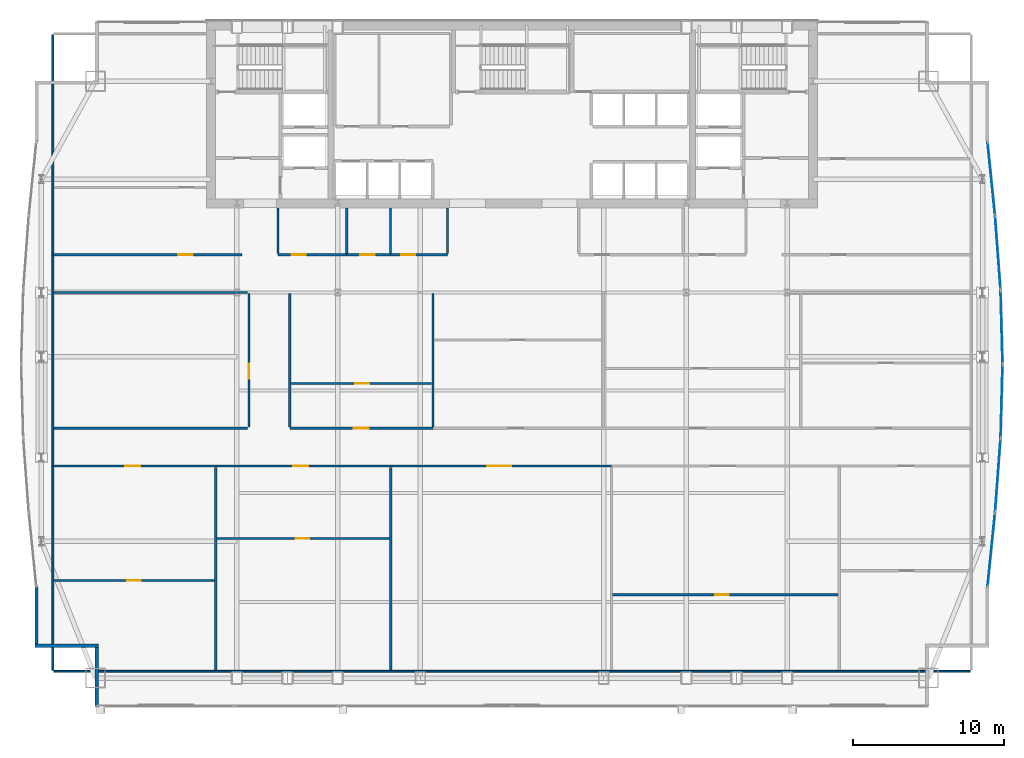
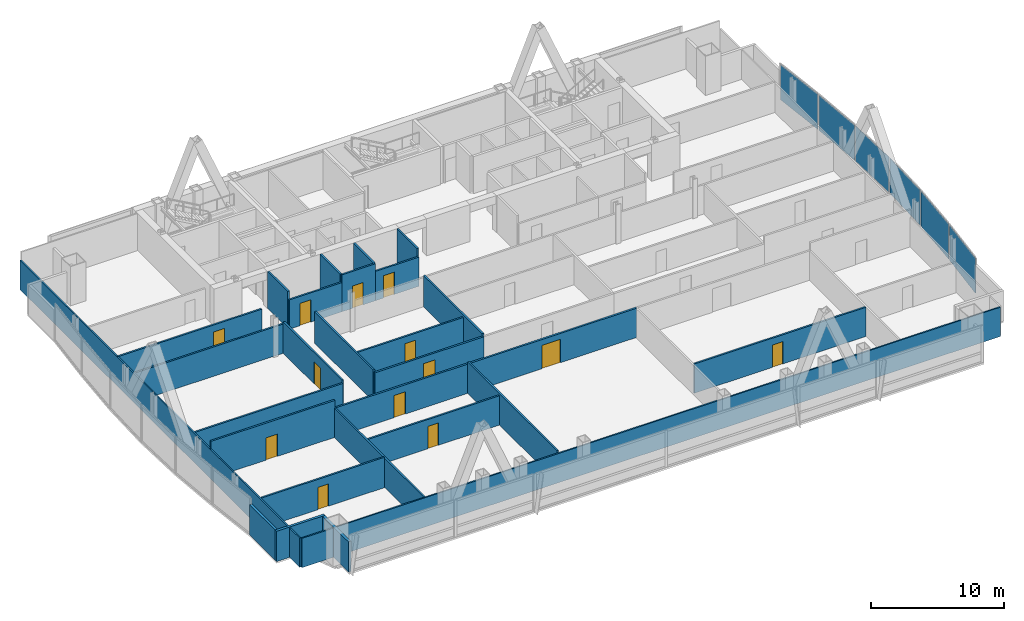
# One storey, part 24 of 29: 28 walls, 13 doors, 6 plates, 13 openings, 6 elements without a shape of their own.
"""IFC4 building model written with IfcOpenShell, lengths in metres."""

import ifcopenshell
import ifcopenshell.guid

model = None  # the IFC model being written
_history = None  # IfcOwnerHistory: only IFC2X3 demands one
_inside = {}  # id of a spatial element -> (the spatial element, [elements in it])
_under = {}  # id of a project, library or spatial element -> (it, [spatial elements below it])
_declared = {}  # id of a project -> (the project, [libraries it declares])
_typed = {}  # id of a type object -> (the type object, [elements of that type])
_made_of = {}  # id of a material, layer set ... -> (it, [elements and type objects made of it])


def new_model(schema):
    """Start an empty IFC model of exactly this schema.

    Asked for "IFC4X3", IfcOpenShell would pick the latest addendum, in which some entities
    have other attributes; the version numbers below select the first issue.
    IFC2X3 requires an IfcOwnerHistory on every rooted entity: one is made here for all.
    """
    global model, _history
    if schema == "IFC4X3":
        model = ifcopenshell.file(schema_version=(4, 3, 0, 0))
    else:
        model = ifcopenshell.file(schema=schema)
    _inside.clear()
    _under.clear()
    _declared.clear()
    _typed.clear()
    _made_of.clear()
    _history = None
    if model.schema == "IFC2X3":
        org = make("IfcOrganization", Name="unknown")
        user = make(
            "IfcPersonAndOrganization",
            ThePerson=make("IfcPerson", FamilyName="unknown"),
            TheOrganization=org,
        )
        app = make(
            "IfcApplication",
            ApplicationDeveloper=org,
            Version="unknown",
            ApplicationFullName="unknown",
            ApplicationIdentifier="unknown",
        )
        _history = make(
            "IfcOwnerHistory",
            OwningUser=user,
            OwningApplication=app,
            ChangeAction="ADDED",
            CreationDate=0,
        )
    return model


def make(cls, **values):
    """One entity of the class cls with the attributes given. An attribute that is None is left unset."""
    return model.create_entity(
        cls, **{name: value for name, value in values.items() if value is not None}
    )


def rooted(cls, **values):
    """An entity with a GlobalId (a new one), such as an element, a storey or a relation."""
    return make(cls, GlobalId=ifcopenshell.guid.new(), OwnerHistory=_history, **values)


def si_unit(unit_type, name, prefix=None):
    """IfcSIUnit, for example si_unit("LENGTHUNIT", "METRE", prefix="MILLI")."""
    return make("IfcSIUnit", UnitType=unit_type, Prefix=prefix, Name=name)


def assignment(units):
    """IfcUnitAssignment: the units of a project."""
    return None if units is None else make("IfcUnitAssignment", Units=units)


def point(xyz):
    """IfcCartesianPoint."""
    return None if xyz is None else make("IfcCartesianPoint", Coordinates=xyz)


def direction(xyz):
    """IfcDirection."""
    return None if xyz is None else make("IfcDirection", DirectionRatios=xyz)


def frame(location, z_axis=None, x_axis=None):
    """IfcAxis2Placement3D, a coordinate frame: its origin and axes. An axis left out is left unset."""
    return make(
        "IfcAxis2Placement3D",
        Location=point(location),
        Axis=direction(z_axis),
        RefDirection=direction(x_axis),
    )


def frame_2d(location, x_axis=None):
    """IfcAxis2Placement2D, a coordinate frame in the plane: its origin and x axis."""
    return make(
        "IfcAxis2Placement2D", Location=point(location), RefDirection=direction(x_axis)
    )


def origin():
    """The frame at (0, 0, 0) with its axes left unset."""
    return frame((0.0, 0.0, 0.0))


def origin_2d():
    """The frame at (0, 0) in the plane with its x axis left unset."""
    return frame_2d((0.0, 0.0))


def place(relative_to, where):
    """IfcLocalPlacement: puts the frame where relative to a parent placement (None: the world)."""
    return make(
        "IfcLocalPlacement", PlacementRelTo=relative_to, RelativePlacement=where
    )


def context(
    kind, dimensions, precision=None, world=None, true_north=None, identifier=None
):
    """IfcGeometricRepresentationContext, for example the 3D "Model" context."""
    return make(
        "IfcGeometricRepresentationContext",
        ContextIdentifier=identifier,
        ContextType=kind,
        CoordinateSpaceDimension=dimensions,
        Precision=precision,
        WorldCoordinateSystem=world,
        TrueNorth=true_north,
    )


def subcontext(parent, identifier, kind, view, scale=None):
    """IfcGeometricRepresentationSubContext, for example "Body" below "Model"."""
    return make(
        "IfcGeometricRepresentationSubContext",
        ContextIdentifier=identifier,
        ContextType=kind,
        ParentContext=parent,
        TargetScale=scale,
        TargetView=view,
    )


def project(units=None, contexts=None):
    """IfcProject with its units and contexts."""
    return rooted(
        "IfcProject",
        Name="project",
        RepresentationContexts=contexts,
        UnitsInContext=assignment(units),
    )


def spatial(cls, under=None, at=None, **own):
    """A site, building, storey or space (cls), placed at a placement, below another one or the project."""
    s = rooted(cls, ObjectPlacement=at, **own)
    if under is not None:
        _under.setdefault(under.id(), (under, []))[1].append(s)
    return s


def profile(cls, at=None, kind="AREA", **sizes):
    """A parametric profile (cls). Its sizes go by their IFC names, for example OverallWidth=200.0."""
    return make(cls, ProfileType=kind, Position=at, **sizes)


def rectangle(**sizes):
    """IfcRectangleProfileDef."""
    return profile("IfcRectangleProfileDef", **sizes)


def extrude(swept, where, along, depth):
    """IfcExtrudedAreaSolid: the profile swept, set in the frame where, extruded along a direction by depth."""
    return make(
        "IfcExtrudedAreaSolid",
        SweptArea=swept,
        Position=where,
        ExtrudedDirection=direction(along),
        Depth=depth,
    )


def shape(context_of_items, identifier, shape_type, items):
    """IfcShapeRepresentation: the items that make up one representation, for example the "Body"."""
    return make(
        "IfcShapeRepresentation",
        ContextOfItems=context_of_items,
        RepresentationIdentifier=identifier,
        RepresentationType=shape_type,
        Items=items,
    )


def material(Name=None, Category=None):
    """IfcMaterial."""
    return make("IfcMaterial", Name=Name, Category=Category)


def layer(
    of_material, thickness, ventilated=None, Name=None, Category=None, Priority=None
):
    """IfcMaterialLayer: one layer of a wall or slab, of a material (None: an air gap)."""
    return make(
        "IfcMaterialLayer",
        Material=of_material,
        LayerThickness=thickness,
        IsVentilated=ventilated,
        Name=Name,
        Category=Category,
        Priority=Priority,
    )


def layer_set(layers, Name=None):
    """IfcMaterialLayerSet."""
    return make("IfcMaterialLayerSet", MaterialLayers=layers, LayerSetName=Name)


def made_of(thing, what):
    """Note that an element or type object is made of a material, layer set ...; save() writes the relation."""
    if what is not None:
        _made_of.setdefault(what.id(), (what, []))[1].append(thing)
    return thing


def type_object(cls, material=None, **own):
    """A type object (cls), such as IfcWallType, which elements share."""
    return made_of(rooted(cls, **own), material)


def element(
    cls,
    number,
    at=None,
    inside=None,
    cuts=None,
    type_object=None,
    material=None,
    context=None,
    identifier="Body",
    shape_type=None,
    held_by="IfcProductDefinitionShape",
    body=None,
    shapes=None,
    **own,
):
    """One element of the class cls, such as IfcWall. Its Tag is "e" and its number.

    at: its placement. inside: the storey or other place that contains it. cuts: it is an
    opening in that element (IfcRelVoidsElement). A single representation is given by context,
    identifier, shape_type and body (its items); several are given by shapes. held_by: the class
    of the entity that holds the representations. save() writes the other relations.
    """
    e = rooted(cls, Tag="e%d" % number, ObjectPlacement=at, **own)
    if body is not None:
        shapes = [shape(context, identifier, shape_type, body)]
    if shapes is not None:
        e.Representation = make(held_by, Representations=shapes)
    if inside is not None:
        _inside.setdefault(inside.id(), (inside, []))[1].append(e)
    if cuts is not None:
        rooted(
            "IfcRelVoidsElement", RelatingBuildingElement=cuts, RelatedOpeningElement=e
        )
    if type_object is not None:
        _typed.setdefault(type_object.id(), (type_object, []))[1].append(e)
    return made_of(e, material)


def fill(opening, filler):
    """IfcRelFillsElement: the door or window that sits in an opening."""
    return rooted(
        "IfcRelFillsElement",
        RelatingOpeningElement=opening,
        RelatedBuildingElement=filler,
    )


def aggregate(whole, parts):
    """IfcRelAggregates: a whole, such as a stair, and the parts it consists of."""
    return rooted("IfcRelAggregates", RelatingObject=whole, RelatedObjects=parts)


def save(model, path):
    """Write the relations noted so far, then the file.

    IfcRelAggregates (storeys below a building ...), IfcRelContainedInSpatialStructure (elements
    in a storey), IfcRelDefinesByType, IfcRelAssociatesMaterial and IfcRelDeclares: one each for
    every whole, place, type object, material and project.
    """
    for whole, parts in _under.values():
        aggregate(whole, parts)
    for where, things in _inside.values():
        rooted(
            "IfcRelContainedInSpatialStructure",
            RelatedElements=things,
            RelatingStructure=where,
        )
    for kind, things in _typed.values():
        rooted("IfcRelDefinesByType", RelatedObjects=things, RelatingType=kind)
    for what, things in _made_of.values():
        rooted("IfcRelAssociatesMaterial", RelatedObjects=things, RelatingMaterial=what)
    for by, libraries in _declared.values():
        rooted("IfcRelDeclares", RelatingContext=by, RelatedDefinitions=libraries)
    model.write(path)


model = new_model("IFC4")

# Units and contexts
model_context = context("Model", 3, precision=1e-05, world=origin(), true_north=direction((0.0, 1.0)))
body_context = subcontext(model_context, "Body", "Model", "MODEL_VIEW")
ifc_project = project(units=[si_unit("LENGTHUNIT", "METRE"), si_unit("AREAUNIT", "SQUARE_METRE"), si_unit("VOLUMEUNIT", "CUBIC_METRE"), si_unit("PLANEANGLEUNIT", "RADIAN"), si_unit("MASSUNIT", "GRAM", prefix="KILO")], contexts=[model_context])

# Site, building, storey
site_placement = place(None, origin())
site = spatial("IfcSite", under=ifc_project, at=site_placement, CompositionType="ELEMENT")
building_placement = place(site_placement, origin())
building = spatial("IfcBuilding", under=site, at=building_placement, Name="Khoronbel Lancet Exchange", CompositionType="ELEMENT")
storey_placement = place(building_placement, frame((0.0, 0.0, 180.60009765625)))
storey = spatial("IfcBuildingStorey", under=building, at=storey_placement, Name="L45", CompositionType="ELEMENT", Elevation=180.60009765625)

# Curtain wall, plate
ifc_material_1 = material(Name="Low-E Solar Control Insulating Glass", Category="glass")
curtain_wall_type = type_object("IfcCurtainWallType", Name="CW-4", PredefinedType="NOTDEFINED", material=ifc_material_1)
curtain_wall_1_placement = place(storey_placement, origin())
curtain_wall_1 = element("IfcCurtainWall", 1, at=curtain_wall_1_placement, inside=storey, type_object=curtain_wall_type, Name="Unitised curtain wall CW-L45-E18", PredefinedType="NOTDEFINED")
ifc_material_2 = material(Name="Bronze-Anodised Aluminium 6063-T6", Category="aluminium")
ifc_layer_1 = layer(ifc_material_2, 0.050048828125, Name="Bronze-Anodised Aluminium 6063-T6")
ifc_layer_set_1 = layer_set([ifc_layer_1], Name="Bronze-Anodised Aluminium 6063-T6")
plate_type_1 = type_object("IfcPlateType", Name="PLT-CSP1", PredefinedType="SHEET", material=ifc_layer_set_1)
plate_1_placement = place(storey_placement, frame((68.643310546875, 38.31884765625, 0.0849609375), z_axis=(0.0, 0.0, 1.0), x_axis=(0.074245494873, -0.99723999443, 0.0)))
plate_1 = element("IfcPlate", 2, at=plate_1_placement, type_object=plate_type_1, Name="CW4 panel 1.1", PredefinedType="CURTAIN_PANEL", context=body_context, shape_type="SweptSolid", body=[
    extrude(rectangle(XDim=4.77685546875, YDim=0.0380859375, at=origin_2d()), origin(), (0.0, 0.0, 1.0), 3.22998046875),
])
aggregate(curtain_wall_1, [plate_1])

curtain_wall_2_placement = place(storey_placement, origin())
curtain_wall_2 = element("IfcCurtainWall", 3, at=curtain_wall_2_placement, inside=storey, type_object=curtain_wall_type, Name="Unitised curtain wall CW-L45-E19", PredefinedType="NOTDEFINED")
plate_2_placement = place(storey_placement, frame((68.89306640625, 33.406005859375, 0.0849609375), z_axis=(0.0, 0.0, 1.0), x_axis=(0.027249094987, -0.99962867447, 0.0)))
plate_2 = element("IfcPlate", 4, at=plate_2_placement, type_object=plate_type_1, Name="CW4 panel 1.1", PredefinedType="CURTAIN_PANEL", context=body_context, shape_type="SweptSolid", body=[
    extrude(rectangle(XDim=4.763916015625, YDim=0.0380859375, at=origin_2d()), origin(), (0.0, 0.0, 1.0), 3.22998046875),
])
aggregate(curtain_wall_2, [plate_2])

curtain_wall_3_placement = place(storey_placement, origin())
curtain_wall_3 = element("IfcCurtainWall", 5, at=curtain_wall_3_placement, inside=storey, type_object=curtain_wall_type, Name="Unitised curtain wall CW-L45-E20", PredefinedType="NOTDEFINED")
plate_3_placement = place(storey_placement, frame((68.89306640625, 28.493896484375, 0.0849609375), z_axis=(0.0, 0.0, 1.0), x_axis=(-0.027249094987, -0.99962867447, 0.0)))
plate_3 = element("IfcPlate", 6, at=plate_3_placement, type_object=plate_type_1, Name="CW4 panel 1.1", PredefinedType="CURTAIN_PANEL", context=body_context, shape_type="SweptSolid", body=[
    extrude(rectangle(XDim=4.763916015625, YDim=0.0380859375, at=origin_2d()), origin(), (0.0, 0.0, 1.0), 3.22998046875),
])
aggregate(curtain_wall_3, [plate_3])

curtain_wall_4_placement = place(storey_placement, origin())
curtain_wall_4 = element("IfcCurtainWall", 7, at=curtain_wall_4_placement, inside=storey, type_object=curtain_wall_type, Name="Unitised curtain wall CW-L45-E21", PredefinedType="NOTDEFINED")
plate_4_placement = place(storey_placement, frame((68.643310546875, 23.581298828125, 0.0849609375), z_axis=(0.0, 0.0, 1.0), x_axis=(-0.074245494873, -0.99723999443, 0.0)))
plate_4 = element("IfcPlate", 8, at=plate_4_placement, type_object=plate_type_1, Name="CW4 panel 1.1", PredefinedType="CURTAIN_PANEL", context=body_context, shape_type="SweptSolid", body=[
    extrude(rectangle(XDim=4.77685546875, YDim=0.0380859375, at=origin_2d()), origin(), (0.0, 0.0, 1.0), 3.22998046875),
])
aggregate(curtain_wall_4, [plate_4])

curtain_wall_5_placement = place(storey_placement, origin())
curtain_wall_5 = element("IfcCurtainWall", 9, at=curtain_wall_5_placement, inside=storey, type_object=curtain_wall_type, Name="Unitised curtain wall CW-L45-E17", PredefinedType="NOTDEFINED")
ifc_material_3 = material(Name="Ceramic-Fritted Laminated Insulating Glass", Category="glass")
ifc_layer_2 = layer(ifc_material_3, 0.0419921875, Name="Ceramic-Fritted Laminated Insulating Glass")
ifc_layer_set_2 = layer_set([ifc_layer_2], Name="Ceramic-Fritted Laminated Insulating Glass")
plate_type_2 = type_object("IfcPlateType", Name="PLT-CWP2", PredefinedType="CURTAIN_PANEL", material=ifc_layer_set_2)
plate_5_placement = place(storey_placement, frame((68.210205078125, 43.2353515625, 0.0849609375), z_axis=(0.0, 0.0, 1.0), x_axis=(0.101165300055, -0.994869630688, 0.0)))
plate_5 = element("IfcPlate", 10, at=plate_5_placement, type_object=plate_type_2, Name="CW4 panel 1.1", PredefinedType="CURTAIN_PANEL", context=body_context, shape_type="SweptSolid", body=[
    extrude(rectangle(XDim=4.79541015625, YDim=0.0380859375, at=origin_2d()), origin(), (0.0, 0.0, 1.0), 3.22998046875),
])
aggregate(curtain_wall_5, [plate_5])

curtain_wall_6_placement = place(storey_placement, origin())
curtain_wall_6 = element("IfcCurtainWall", 11, at=curtain_wall_6_placement, inside=storey, type_object=curtain_wall_type, Name="Unitised curtain wall CW-L45-E22", PredefinedType="NOTDEFINED")
plate_6_placement = place(storey_placement, frame((68.210205078125, 18.66455078125, 0.0849609375), z_axis=(0.0, 0.0, 1.0), x_axis=(-0.101165300055, -0.994869630688, 0.0)))
plate_6 = element("IfcPlate", 12, at=plate_6_placement, type_object=plate_type_2, Name="CW4 panel 1.1", PredefinedType="CURTAIN_PANEL", context=body_context, shape_type="SweptSolid", body=[
    extrude(rectangle(XDim=4.79541015625, YDim=0.0380859375, at=origin_2d()), origin(), (0.0, 0.0, 1.0), 3.22998046875),
])
aggregate(curtain_wall_6, [plate_6])

# Walls
ifc_material_4 = material(Name="Precast concrete C40/50", Category="concrete")
ifc_layer_3 = layer(ifc_material_4, 0.25, Name="Precast concrete C40/50")
ifc_layer_set_3 = layer_set([ifc_layer_3], Name="Precast concrete C40/50")
wall_type_1 = type_object("IfcWallType", Name="WL-EXT250", PredefinedType="SOLIDWALL", material=ifc_layer_set_3)
wall_1_placement = place(storey_placement, frame((8.93994140625, 8.27001953125, 0.0), z_axis=(0.0, 0.0, 1.0), x_axis=(0.0, 1.0, 0.0)))
element("IfcWall", 13, at=wall_1_placement, inside=storey, type_object=wall_type_1, Name="Level L45 notched-corner limestone pier 01", PredefinedType="SOLIDWALL", context=body_context, shape_type="SweptSolid", body=[
    extrude(rectangle(XDim=3.909912109375, YDim=0.219970703125, at=frame_2d((1.955078125, 0.0))), origin(), (0.0, 0.0, 1.0), 2.789794921875),
])
wall_2_placement = place(storey_placement, frame((9.050048828125, 12.2900390625, 0.0), z_axis=(0.0, 0.0, 1.0), x_axis=(-1.0, 0.0, 0.0)))
element("IfcWall", 14, at=wall_2_placement, inside=storey, type_object=wall_type_1, Name="Level L45 notched-corner limestone pier 02", PredefinedType="SOLIDWALL", context=body_context, shape_type="SweptSolid", body=[
    extrude(rectangle(XDim=4.219970703125, YDim=0.219970703125, at=frame_2d((2.10986328125, 0.0))), origin(), (0.0, 0.0, 1.0), 2.789794921875),
])
wall_3_placement = place(storey_placement, frame((4.93994140625, 12.39990234375, 0.0), z_axis=(0.0, 0.0, 1.0), x_axis=(0.0, 1.0, 0.0)))
element("IfcWall", 15, at=wall_3_placement, inside=storey, type_object=wall_type_1, Name="Level L45 notched-corner limestone pier 03", PredefinedType="SOLIDWALL", context=body_context, shape_type="SweptSolid", body=[
    extrude(rectangle(XDim=3.82470703125, YDim=0.219970703125, at=frame_2d((1.912353515625, 0.0))), origin(), (0.0, 0.0, 1.0), 2.789794921875),
])
ifc_material_5 = material(Name="Acoustic Metal-Stud & Mineral-Wool Gypsum Partition 120 mm", Category="gypsum")
ifc_layer_4 = layer(ifc_material_5, 0.1201171875, Name="Acoustic Metal-Stud & Mineral-Wool Gypsum Partition 120 mm")
ifc_layer_set_4 = layer_set([ifc_layer_4], Name="Acoustic Metal-Stud & Mineral-Wool Gypsum Partition 120 mm")
wall_type_2 = type_object("IfcWallType", Name="WL-PRT120", PredefinedType="PARTITIONING", material=ifc_layer_set_4)
for number, where, z_axis, x_axis, name in (
    (16, (20.949951171875, 38.280029296875, 0.0), (0.0, 0.0, 1.0), (0.0, 1.0, 0.0), "Level L45 interior partition PW-WC-0"),
    (17, (25.5, 38.280029296875, 0.0), (0.0, 0.0, 1.0), (0.0, 1.0, 0.0), "Level L45 interior partition PW-WC-1"),
    (18, (28.39990234375, 38.280029296875, 0.0), (0.0, 0.0, 1.0), (0.0, 1.0, 0.0), "Level L45 interior partition PW-WC-2"),
    (19, (32.179931640625, 38.280029296875, 0.0), (0.0, 0.0, 1.0), (0.0, 1.0, 0.0), "Level L45 interior partition PW-WC-3"),
):
    element("IfcWall", number, at=place(storey_placement, frame(where, z_axis=z_axis, x_axis=x_axis)), inside=storey, type_object=wall_type_2, Name=name, PredefinedType="PARTITIONING", context=body_context, shape_type="SweptSolid", body=[
        extrude(rectangle(XDim=3.02001953125, YDim=0.14990234375, at=frame_2d((1.510009765625, 0.0))), origin(), (0.0, 0.0, 1.0), 3.39990234375),
    ])

# Wall, opening, door
wall_4_placement = place(storey_placement, frame((6.094970703125, 16.60986328125, 0.0), z_axis=(0.0, 0.0, 1.0), x_axis=(1.0, 0.0, 0.0)))
wall_4 = element("IfcWall", 20, at=wall_4_placement, inside=storey, type_object=wall_type_2, Name="Level L45 interior partition PW-Z2S-H1", PredefinedType="PARTITIONING", context=body_context, shape_type="SweptSolid", body=[
    extrude(rectangle(XDim=10.651123046875, YDim=0.14990234375, at=frame_2d((5.32568359375, 0.0))), origin(), (0.0, 0.0, 1.0), 2.789794921875),
])
opening_1_placement = place(wall_4_placement, frame((4.8583984375, 0.0, 0.0)))
opening_1 = element("IfcOpeningElement", 21, at=opening_1_placement, cuts=wall_4, Name="Opening D5", PredefinedType="OPENING", context=body_context, shape_type="SweptSolid", body=[
    extrude(rectangle(XDim=0.89990234375, YDim=2.050048828125, at=frame_2d((0.449951171875, 1.02490234375))), frame((0.0, 0.0849609375, 0.0), z_axis=(0.0, -1.0, 0.0), x_axis=(1.0, 0.0, 0.0)), (0.0, 0.0, 1.0), 0.169921875),
])
ifc_material_6 = material(Name="Acoustic Timber Pantry & Support Door", Category="wood")
door_type_1 = type_object("IfcDoorType", Name="DR-D5", OperationType="NOTDEFINED", PredefinedType="DOOR", material=ifc_material_6)
door_1_placement = place(opening_1_placement, origin())
door_1 = element("IfcDoor", 22, at=door_1_placement, inside=storey, type_object=door_type_1, Name="Z2S inner door 1 L45-1", OperationType="SINGLE_SWING_LEFT", OverallHeight=2.050048828125, OverallWidth=0.89990234375, PredefinedType="DOOR", context=body_context, shape_type="SweptSolid", body=[
    extrude(rectangle(XDim=0.89990234375, YDim=2.050048828125, at=frame_2d((0.449951171875, 1.02490234375))), frame((0.0, 0.02490234375, 0.0), z_axis=(0.0, -1.0, 0.0), x_axis=(1.0, 0.0, 0.0)), (0.0, 0.0, 1.0), 0.050048828125),
])
fill(opening_1, door_1)

wall_5_placement = place(storey_placement, frame((16.90625, 19.39697265625, 0.0), z_axis=(0.0, 0.0, 1.0), x_axis=(1.0, 0.0, 0.0)))
wall_5 = element("IfcWall", 23, at=wall_5_placement, inside=storey, type_object=wall_type_2, Name="Level L45 interior partition PW-Z2S-H2", PredefinedType="PARTITIONING", context=body_context, shape_type="SweptSolid", body=[
    extrude(rectangle(XDim=11.423828125, YDim=0.14990234375, at=frame_2d((5.7119140625, 0.0))), origin(), (0.0, 0.0, 1.0), 2.68994140625),
])
opening_2_placement = place(wall_5_placement, frame((5.212646484375, 0.0, 0.0)))
opening_2 = element("IfcOpeningElement", 24, at=opening_2_placement, cuts=wall_5, Name="Opening D5", PredefinedType="OPENING", context=body_context, shape_type="SweptSolid", body=[
    extrude(rectangle(XDim=0.89990234375, YDim=2.050048828125, at=frame_2d((0.449951171875, 1.02490234375))), frame((0.0, 0.0849609375, 0.0), z_axis=(0.0, -1.0, 0.0), x_axis=(1.0, 0.0, 0.0)), (0.0, 0.0, 1.0), 0.169921875),
])
door_2_placement = place(opening_2_placement, origin())
door_2 = element("IfcDoor", 25, at=door_2_placement, inside=storey, type_object=door_type_1, Name="Z2S inner door 2 L45-1", OperationType="SINGLE_SWING_LEFT", OverallHeight=2.050048828125, OverallWidth=0.89990234375, PredefinedType="DOOR", context=body_context, shape_type="SweptSolid", body=[
    extrude(rectangle(XDim=0.89990234375, YDim=2.050048828125, at=frame_2d((0.449951171875, 1.02490234375))), frame((0.0, 0.02490234375, 0.0), z_axis=(0.0, -1.0, 0.0), x_axis=(1.0, 0.0, 0.0)), (0.0, 0.0, 1.0), 0.050048828125),
])
fill(opening_2, door_2)

wall_6_placement = place(storey_placement, frame((43.1220703125, 15.674560546875, 0.0), z_axis=(0.0, 0.0, 1.0), x_axis=(1.0, 0.0, 0.0)))
wall_6 = element("IfcWall", 26, at=wall_6_placement, inside=storey, type_object=wall_type_2, Name="Level L45 interior partition PW-Z2S-H4", PredefinedType="PARTITIONING", context=body_context, shape_type="SweptSolid", body=[
    extrude(rectangle(XDim=14.929443359375, YDim=0.14990234375, at=frame_2d((7.46484375, 0.0))), origin(), (0.0, 0.0, 1.0), 2.68994140625),
])
opening_3_placement = place(wall_6_placement, frame((6.790283203125, 0.0, 0.0)))
opening_3 = element("IfcOpeningElement", 27, at=opening_3_placement, cuts=wall_6, Name="Opening D5", PredefinedType="OPENING", context=body_context, shape_type="SweptSolid", body=[
    extrude(rectangle(XDim=0.89990234375, YDim=2.050048828125, at=frame_2d((0.449951171875, 1.02490234375))), frame((0.0, 0.0849609375, 0.0), z_axis=(0.0, -1.0, 0.0), x_axis=(1.0, 0.0, 0.0)), (0.0, 0.0, 1.0), 0.169921875),
])
door_3_placement = place(opening_3_placement, origin())
door_3 = element("IfcDoor", 28, at=door_3_placement, inside=storey, type_object=door_type_1, Name="Z2S inner door 4 L45-1", OperationType="SINGLE_SWING_RIGHT", OverallHeight=2.050048828125, OverallWidth=0.89990234375, PredefinedType="DOOR", context=body_context, shape_type="SweptSolid", body=[
    extrude(rectangle(XDim=0.89990234375, YDim=2.050048828125, at=frame_2d((0.449951171875, 1.02490234375))), frame((0.0, 0.02490234375, 0.0), z_axis=(0.0, -1.0, 0.0), x_axis=(1.0, 0.0, 0.0)), (0.0, 0.0, 1.0), 0.050048828125),
])
fill(opening_3, door_3)

wall_7_placement = place(storey_placement, frame((21.81005859375, 29.669921875, 0.0), z_axis=(0.0, 0.0, 1.0), x_axis=(1.0, 0.0, 0.0)))
wall_7 = element("IfcWall", 29, at=wall_7_placement, inside=storey, type_object=wall_type_2, Name="Level L45 interior partition PW-Z2N-H1", PredefinedType="PARTITIONING", context=body_context, shape_type="SweptSolid", body=[
    extrude(rectangle(XDim=9.3193359375, YDim=0.14990234375, at=frame_2d((4.65966796875, 0.0))), origin(), (0.0, 0.0, 1.0), 2.68994140625),
])
opening_4_placement = place(wall_7_placement, frame((4.265625, 0.0, 0.0)))
opening_4 = element("IfcOpeningElement", 30, at=opening_4_placement, cuts=wall_7, Name="Opening D5", PredefinedType="OPENING", context=body_context, shape_type="SweptSolid", body=[
    extrude(rectangle(XDim=0.89990234375, YDim=2.050048828125, at=frame_2d((0.449951171875, 1.02490234375))), frame((0.0, 0.0849609375, 0.0), z_axis=(0.0, -1.0, 0.0), x_axis=(1.0, 0.0, 0.0)), (0.0, 0.0, 1.0), 0.169921875),
])
door_4_placement = place(opening_4_placement, origin())
door_4 = element("IfcDoor", 31, at=door_4_placement, inside=storey, type_object=door_type_1, Name="Z2N inner door 1 L45-1", OperationType="SINGLE_SWING_LEFT", OverallHeight=2.050048828125, OverallWidth=0.89990234375, PredefinedType="DOOR", context=body_context, shape_type="SweptSolid", body=[
    extrude(rectangle(XDim=0.89990234375, YDim=2.050048828125, at=frame_2d((0.449951171875, 1.02490234375))), frame((0.0, 0.02490234375, 0.0), z_axis=(0.0, -1.0, 0.0), x_axis=(1.0, 0.0, 0.0)), (0.0, 0.0, 1.0), 0.050048828125),
])
fill(opening_4, door_4)

# Walls
wall_8_placement = place(storey_placement, frame((6.030029296875, 10.6650390625, 0.0), z_axis=(0.0, 0.0, 1.0), x_axis=(0.0, 1.0, 0.0)))
element("IfcWall", 32, at=wall_8_placement, inside=storey, type_object=wall_type_2, Name="Level L45 interior partition PW-LIN-W", PredefinedType="PARTITIONING", context=body_context, shape_type="SweptSolid", body=[
    extrude(rectangle(XDim=42.10986328125, YDim=0.1201171875, at=frame_2d((21.054931640625, 0.0))), origin(), (0.0, 0.0, 1.0), 2.68994140625),
])
wall_9_placement = place(storey_placement, frame((6.094970703125, 10.60009765625, 0.0), z_axis=(0.0, 0.0, 1.0), x_axis=(1.0, 0.0, 0.0)))
element("IfcWall", 33, at=wall_9_placement, inside=storey, type_object=wall_type_2, Name="Level L45 interior partition PW-LIN-S", PredefinedType="PARTITIONING", context=body_context, shape_type="SweptSolid", body=[
    extrude(rectangle(XDim=60.7099609375, YDim=0.1201171875, at=frame_2d((30.35498046875, 0.0))), origin(), (0.0, 0.0, 1.0), 2.68994140625),
])

# Wall, opening, door
ifc_material_7 = material(Name="Fire-Rated Twin-Stud Acoustic Gypsum Partition 150 mm", Category="gypsum")
ifc_layer_5 = layer(ifc_material_7, 0.14990234375, Name="Fire-Rated Twin-Stud Acoustic Gypsum Partition 150 mm")
ifc_layer_set_5 = layer_set([ifc_layer_5], Name="Fire-Rated Twin-Stud Acoustic Gypsum Partition 150 mm")
wall_type_3 = type_object("IfcWallType", Name="WL-PRT150C", PredefinedType="PARTITIONING", material=ifc_layer_set_5)
wall_10_placement = place(storey_placement, frame((20.949951171875, 38.199951171875, 0.0), z_axis=(0.0, 0.0, 1.0), x_axis=(1.0, 0.0, 0.0)))
wall_10 = element("IfcWall", 34, at=wall_10_placement, inside=storey, type_object=wall_type_3, Name="Level L45 interior partition PW-WC-S1", PredefinedType="PARTITIONING", context=body_context, shape_type="SweptSolid", body=[
    extrude(rectangle(XDim=4.550048828125, YDim=0.14990234375, at=frame_2d((2.27490234375, 0.0))), origin(), (0.0, 0.0, 1.0), 2.68994140625),
])
opening_5_placement = place(wall_10_placement, frame((0.89990234375, 0.0, 0.0)))
opening_5 = element("IfcOpeningElement", 35, at=opening_5_placement, cuts=wall_10, Name="Opening D4", PredefinedType="OPENING", context=body_context, shape_type="SweptSolid", body=[
    extrude(rectangle(XDim=0.949951171875, YDim=2.050048828125, at=frame_2d((0.47509765625, 1.02490234375))), frame((0.0, 0.0849609375, 0.0), z_axis=(0.0, -1.0, 0.0), x_axis=(1.0, 0.0, 0.0)), (0.0, 0.0, 1.0), 0.169921875),
])
ifc_material_8 = material(Name="Moisture-Resistant HPL Washroom Door", Category="wood")
door_type_2 = type_object("IfcDoorType", Name="DR-D4", OperationType="NOTDEFINED", PredefinedType="DOOR", material=ifc_material_8)
door_5_placement = place(opening_5_placement, origin())
door_5 = element("IfcDoor", 36, at=door_5_placement, inside=storey, type_object=door_type_2, Name="Male washroom door L45-1", OperationType="SINGLE_SWING_LEFT", OverallHeight=2.050048828125, OverallWidth=0.949951171875, PredefinedType="DOOR", context=body_context, shape_type="SweptSolid", body=[
    extrude(rectangle(XDim=0.949951171875, YDim=2.050048828125, at=frame_2d((0.47509765625, 1.02490234375))), frame((0.0, 0.02490234375, 0.0), z_axis=(0.0, -1.0, 0.0), x_axis=(1.0, 0.0, 0.0)), (0.0, 0.0, 1.0), 0.050048828125),
])
fill(opening_5, door_5)

wall_11_placement = place(storey_placement, frame((25.5, 38.199951171875, 0.0), z_axis=(0.0, 0.0, 1.0), x_axis=(1.0, 0.0, 0.0)))
wall_11 = element("IfcWall", 37, at=wall_11_placement, inside=storey, type_object=wall_type_3, Name="Level L45 interior partition PW-WC-S2", PredefinedType="PARTITIONING", context=body_context, shape_type="SweptSolid", body=[
    extrude(rectangle(XDim=2.89990234375, YDim=0.14990234375, at=frame_2d((1.449951171875, 0.0))), origin(), (0.0, 0.0, 1.0), 3.39990234375),
])
opening_6_placement = place(wall_11_placement, frame((0.89990234375, 0.0, 0.0)))
opening_6 = element("IfcOpeningElement", 38, at=opening_6_placement, cuts=wall_11, Name="Opening D4", PredefinedType="OPENING", context=body_context, shape_type="SweptSolid", body=[
    extrude(rectangle(XDim=0.949951171875, YDim=2.050048828125, at=frame_2d((0.47509765625, 1.02490234375))), frame((0.0, 0.0849609375, 0.0), z_axis=(0.0, -1.0, 0.0), x_axis=(1.0, 0.0, 0.0)), (0.0, 0.0, 1.0), 0.169921875),
])
door_6_placement = place(opening_6_placement, origin())
door_6 = element("IfcDoor", 39, at=door_6_placement, inside=storey, type_object=door_type_2, Name="Female washroom door L45-1", OperationType="SINGLE_SWING_RIGHT", OverallHeight=2.050048828125, OverallWidth=0.949951171875, PredefinedType="DOOR", context=body_context, shape_type="SweptSolid", body=[
    extrude(rectangle(XDim=0.949951171875, YDim=2.050048828125, at=frame_2d((0.47509765625, 1.02490234375))), frame((0.0, 0.02490234375, 0.0), z_axis=(0.0, -1.0, 0.0), x_axis=(1.0, 0.0, 0.0)), (0.0, 0.0, 1.0), 0.050048828125),
])
fill(opening_6, door_6)

wall_12_placement = place(storey_placement, frame((28.39990234375, 38.199951171875, 0.0), z_axis=(0.0, 0.0, 1.0), x_axis=(1.0, 0.0, 0.0)))
wall_12 = element("IfcWall", 40, at=wall_12_placement, inside=storey, type_object=wall_type_3, Name="Level L45 interior partition PW-WC-S3", PredefinedType="PARTITIONING", context=body_context, shape_type="SweptSolid", body=[
    extrude(rectangle(XDim=3.780029296875, YDim=0.14990234375, at=frame_2d((1.89013671875, 0.0))), origin(), (0.0, 0.0, 1.0), 2.68994140625),
])
opening_7_placement = place(wall_12_placement, frame((0.699951171875, 0.0, 0.0)))
opening_7 = element("IfcOpeningElement", 41, at=opening_7_placement, cuts=wall_12, Name="Opening D4", PredefinedType="OPENING", context=body_context, shape_type="SweptSolid", body=[
    extrude(rectangle(XDim=0.949951171875, YDim=2.050048828125, at=frame_2d((0.47509765625, 1.02490234375))), frame((0.0, 0.0849609375, 0.0), z_axis=(0.0, -1.0, 0.0), x_axis=(1.0, 0.0, 0.0)), (0.0, 0.0, 1.0), 0.169921875),
])
door_7_placement = place(opening_7_placement, origin())
door_7 = element("IfcDoor", 42, at=door_7_placement, inside=storey, type_object=door_type_2, Name="Accessible WC door L45-1", OperationType="SINGLE_SWING_LEFT", OverallHeight=2.050048828125, OverallWidth=0.949951171875, PredefinedType="DOOR", context=body_context, shape_type="SweptSolid", body=[
    extrude(rectangle(XDim=0.949951171875, YDim=2.050048828125, at=frame_2d((0.47509765625, 1.02490234375))), frame((0.0, 0.02490234375, 0.0), z_axis=(0.0, -1.0, 0.0), x_axis=(1.0, 0.0, 0.0)), (0.0, 0.0, 1.0), 0.050048828125),
])
fill(opening_7, door_7)

wall_13_placement = place(storey_placement, frame((6.030029296875, 38.199951171875, 0.0), z_axis=(0.0, 0.0, 1.0), x_axis=(1.0, 0.0, 0.0)))
wall_13 = element("IfcWall", 43, at=wall_13_placement, inside=storey, type_object=wall_type_3, Name="Level L45 interior partition PW-NW-S", PredefinedType="PARTITIONING", context=body_context, shape_type="SweptSolid", body=[
    extrude(rectangle(XDim=12.52001953125, YDim=0.14990234375, at=frame_2d((6.260009765625, 0.0))), origin(), (0.0, 0.0, 1.0), 2.68994140625),
])
opening_8_placement = place(wall_13_placement, frame((8.320068359375, 0.0, 0.0)))
opening_8 = element("IfcOpeningElement", 44, at=opening_8_placement, cuts=wall_13, Name="Opening D1", PredefinedType="OPENING", context=body_context, shape_type="SweptSolid", body=[
    extrude(rectangle(XDim=0.949951171875, YDim=2.050048828125, at=frame_2d((0.47509765625, 1.02490234375))), frame((0.0, 0.0849609375, 0.0), z_axis=(0.0, -1.0, 0.0), x_axis=(1.0, 0.0, 0.0)), (0.0, 0.0, 1.0), 0.169921875),
])
ifc_material_9 = material(Name="Acoustic Veneered Timber & Bronze Frame Door", Category="wood")
door_type_3 = type_object("IfcDoorType", Name="DR-D1", OperationType="NOTDEFINED", PredefinedType="DOOR", material=ifc_material_9)
door_8_placement = place(opening_8_placement, origin())
door_8 = element("IfcDoor", 45, at=door_8_placement, inside=storey, type_object=door_type_3, Name="NW corner room door L45-1", OperationType="SINGLE_SWING_RIGHT", OverallHeight=2.050048828125, OverallWidth=0.949951171875, PredefinedType="DOOR", context=body_context, shape_type="SweptSolid", body=[
    extrude(rectangle(XDim=0.949951171875, YDim=2.050048828125, at=frame_2d((0.47509765625, 1.02490234375))), frame((0.0, 0.02490234375, 0.0), z_axis=(0.0, -1.0, 0.0), x_axis=(1.0, 0.0, 0.0)), (0.0, 0.0, 1.0), 0.050048828125),
])
fill(opening_8, door_8)

# Walls
wall_14_placement = place(storey_placement, frame((16.826171875, 10.6650390625, 0.0), z_axis=(0.0, 0.0, 1.0), x_axis=(0.0, 1.0, 0.0)))
element("IfcWall", 46, at=wall_14_placement, inside=storey, type_object=wall_type_3, Name="Level L45 interior partition PW-Z2S-V1", PredefinedType="PARTITIONING", context=body_context, shape_type="SweptSolid", body=[
    extrude(rectangle(XDim=13.449951171875, YDim=0.14990234375, at=frame_2d((6.72509765625, 0.0))), origin(), (0.0, 0.0, 1.0), 2.68994140625),
])
wall_15_placement = place(storey_placement, frame((28.409912109375, 10.6650390625, 0.0), z_axis=(0.0, 0.0, 1.0), x_axis=(0.0, 1.0, 0.0)))
element("IfcWall", 47, at=wall_15_placement, inside=storey, type_object=wall_type_3, Name="Level L45 interior partition PW-Z2S-V2", PredefinedType="PARTITIONING", context=body_context, shape_type="SweptSolid", body=[
    extrude(rectangle(XDim=13.449951171875, YDim=0.14990234375, at=frame_2d((6.72509765625, 0.0))), origin(), (0.0, 0.0, 1.0), 2.889892578125),
])

# Wall, opening, door
wall_16_placement = place(storey_placement, frame((19.02001953125, 26.780029296875, 0.0), z_axis=(0.0, 0.0, 1.0), x_axis=(0.0, 1.0, 0.0)))
wall_16 = element("IfcWall", 48, at=wall_16_placement, inside=storey, type_object=wall_type_3, Name="Level L45 interior partition PW-Z2-WLK", PredefinedType="PARTITIONING", context=body_context, shape_type="SweptSolid", body=[
    extrude(rectangle(XDim=8.840087890625, YDim=0.14990234375, at=frame_2d((4.419921875, 0.0))), origin(), (0.0, 0.0, 1.0), 2.889892578125),
])
opening_9_placement = place(wall_16_placement, frame((3.199951171875, 0.0, 0.0)))
opening_9 = element("IfcOpeningElement", 49, at=opening_9_placement, cuts=wall_16, Name="Opening D2", PredefinedType="OPENING", context=body_context, shape_type="SweptSolid", body=[
    extrude(rectangle(XDim=1.0, YDim=2.050048828125, at=frame_2d((0.5, 1.02490234375))), frame((0.0, 0.0849609375, 0.0), z_axis=(0.0, -1.0, 0.0), x_axis=(1.0, 0.0, 0.0)), (0.0, 0.0, 1.0), 0.169921875),
])
door_type_4 = type_object("IfcDoorType", Name="DR-D2", OperationType="NOTDEFINED", PredefinedType="DOOR", material=ifc_material_9)
door_9_placement = place(opening_9_placement, origin())
door_9 = element("IfcDoor", 50, at=door_9_placement, inside=storey, type_object=door_type_4, Name="West mid-band room door L45-1", OperationType="SINGLE_SWING_LEFT", OverallHeight=2.050048828125, OverallWidth=1.0, PredefinedType="DOOR", context=body_context, shape_type="SweptSolid", body=[
    extrude(rectangle(XDim=1.0, YDim=2.050048828125, at=frame_2d((0.5, 1.02490234375))), frame((0.0, 0.02490234375, 0.0), z_axis=(0.0, -1.0, 0.0), x_axis=(1.0, 0.0, 0.0)), (0.0, 0.0, 1.0), 0.050048828125),
])
fill(opening_9, door_9)

# Walls
for number, where, z_axis, x_axis, name in (
    (51, (6.094970703125, 26.699951171875, 0.0), (0.0, 0.0, 1.0), (1.0, 0.0, 0.0), "Level L45 interior partition PW-Z2-WS"),
    (52, (6.094970703125, 35.699951171875, 0.0), (0.0, 0.0, 1.0), (1.0, 0.0, 0.0), "Level L45 interior partition PW-Z2-WN"),
):
    element("IfcWall", number, at=place(storey_placement, frame(where, z_axis=z_axis, x_axis=x_axis)), inside=storey, type_object=wall_type_3, Name=name, PredefinedType="PARTITIONING", context=body_context, shape_type="SweptSolid", body=[
        extrude(rectangle(XDim=12.844970703125, YDim=0.14990234375, at=frame_2d((6.42236328125, 0.0))), origin(), (0.0, 0.0, 1.0), 2.68994140625),
    ])
for number, where, z_axis, x_axis, name in (
    (53, (21.72998046875, 26.784912109375, 0.0), (0.0, 0.0, 1.0), (0.0, 1.0, 0.0), "Level L45 interior partition PW-Z2-ELK"),
    (54, (31.20947265625, 26.784912109375, 0.0), (0.0, 0.0, 1.0), (0.0, 1.0, 0.0), "Level L45 interior partition PW-Z2N-V1"),
):
    element("IfcWall", number, at=place(storey_placement, frame(where, z_axis=z_axis, x_axis=x_axis)), inside=storey, type_object=wall_type_3, Name=name, PredefinedType="PARTITIONING", context=body_context, shape_type="SweptSolid", body=[
        extrude(rectangle(XDim=8.835205078125, YDim=0.14990234375, at=frame_2d((4.41748046875, 0.0))), origin(), (0.0, 0.0, 1.0), 2.889892578125),
    ])

# Wall, opening, door
ifc_material_10 = material(Name="Fire-Rated Twin-Stud Acoustic Gypsum Partition 160 mm", Category="gypsum")
ifc_layer_6 = layer(ifc_material_10, 0.159912109375, Name="Fire-Rated Twin-Stud Acoustic Gypsum Partition 160 mm")
ifc_layer_set_6 = layer_set([ifc_layer_6], Name="Fire-Rated Twin-Stud Acoustic Gypsum Partition 160 mm")
wall_type_4 = type_object("IfcWallType", Name="WL-PRT160C", PredefinedType="PARTITIONING", material=ifc_layer_set_6)
wall_17_placement = place(storey_placement, frame((6.030029296875, 24.199951171875, 0.0), z_axis=(0.0, 0.0, 1.0), x_axis=(1.0, 0.0, 0.0)))
wall_17 = element("IfcWall", 55, at=wall_17_placement, inside=storey, type_object=wall_type_4, Name="Level L45 interior partition PW-Z2S-COR1", PredefinedType="PARTITIONING", context=body_context, shape_type="SweptSolid", body=[
    extrude(rectangle(XDim=10.796142578125, YDim=0.159912109375, at=frame_2d((5.39794921875, 0.0))), origin(), (0.0, 0.0, 1.0), 3.39990234375),
])
opening_10_placement = place(wall_17_placement, frame((4.784423828125, 0.0, 0.0)))
opening_10 = element("IfcOpeningElement", 56, at=opening_10_placement, cuts=wall_17, Name="Opening D2", PredefinedType="OPENING", context=body_context, shape_type="SweptSolid", body=[
    extrude(rectangle(XDim=1.0, YDim=2.050048828125, at=frame_2d((0.5, 1.02490234375))), frame((0.0, 0.08984375, 0.0), z_axis=(0.0, -1.0, 0.0), x_axis=(1.0, 0.0, 0.0)), (0.0, 0.0, 1.0), 0.179931640625),
])
door_10_placement = place(opening_10_placement, origin())
door_10 = element("IfcDoor", 57, at=door_10_placement, inside=storey, type_object=door_type_4, Name="Z2S bay 1 door L45-1", OperationType="SINGLE_SWING_RIGHT", OverallHeight=2.050048828125, OverallWidth=1.0, PredefinedType="DOOR", context=body_context, shape_type="SweptSolid", body=[
    extrude(rectangle(XDim=1.0, YDim=2.050048828125, at=frame_2d((0.5, 1.02490234375))), frame((0.0, 0.02490234375, 0.0), z_axis=(0.0, -1.0, 0.0), x_axis=(1.0, 0.0, 0.0)), (0.0, 0.0, 1.0), 0.050048828125),
])
fill(opening_10, door_10)

wall_18_placement = place(storey_placement, frame((16.826171875, 24.199951171875, 0.0), z_axis=(0.0, 0.0, 1.0), x_axis=(1.0, 0.0, 0.0)))
wall_18 = element("IfcWall", 58, at=wall_18_placement, inside=storey, type_object=wall_type_4, Name="Level L45 interior partition PW-Z2S-COR2", PredefinedType="PARTITIONING", context=body_context, shape_type="SweptSolid", body=[
    extrude(rectangle(XDim=11.583740234375, YDim=0.159912109375, at=frame_2d((5.7919921875, 0.0))), origin(), (0.0, 0.0, 1.0), 2.68994140625),
])
opening_11_placement = place(wall_18_placement, frame((5.115234375, 0.0, 0.0)))
opening_11 = element("IfcOpeningElement", 59, at=opening_11_placement, cuts=wall_18, Name="Opening D2", PredefinedType="OPENING", context=body_context, shape_type="SweptSolid", body=[
    extrude(rectangle(XDim=1.0, YDim=2.050048828125, at=frame_2d((0.5, 1.02490234375))), frame((0.0, 0.08984375, 0.0), z_axis=(0.0, -1.0, 0.0), x_axis=(1.0, 0.0, 0.0)), (0.0, 0.0, 1.0), 0.179931640625),
])
door_11_placement = place(opening_11_placement, origin())
door_11 = element("IfcDoor", 60, at=door_11_placement, inside=storey, type_object=door_type_4, Name="Z2S bay 2 door L45-1", OperationType="SINGLE_SWING_RIGHT", OverallHeight=2.050048828125, OverallWidth=1.0, PredefinedType="DOOR", context=body_context, shape_type="SweptSolid", body=[
    extrude(rectangle(XDim=1.0, YDim=2.050048828125, at=frame_2d((0.5, 1.02490234375))), frame((0.0, 0.02490234375, 0.0), z_axis=(0.0, -1.0, 0.0), x_axis=(1.0, 0.0, 0.0)), (0.0, 0.0, 1.0), 0.050048828125),
])
fill(opening_11, door_11)

wall_19_placement = place(storey_placement, frame((28.409912109375, 24.199951171875, 0.0), z_axis=(0.0, 0.0, 1.0), x_axis=(1.0, 0.0, 0.0)))
wall_19 = element("IfcWall", 61, at=wall_19_placement, inside=storey, type_object=wall_type_4, Name="Level L45 interior partition PW-Z2S-COR3", PredefinedType="PARTITIONING", context=body_context, shape_type="SweptSolid", body=[
    extrude(rectangle(XDim=14.632080078125, YDim=0.159912109375, at=frame_2d((7.31591796875, 0.0))), origin(), (0.0, 0.0, 1.0), 2.68994140625),
])
opening_12_placement = place(wall_19_placement, frame((6.3955078125, 0.0, 0.0)))
opening_12 = element("IfcOpeningElement", 62, at=opening_12_placement, cuts=wall_19, Name="Opening D3", PredefinedType="OPENING", context=body_context, shape_type="SweptSolid", body=[
    extrude(rectangle(XDim=1.60009765625, YDim=2.14990234375, at=frame_2d((0.800048828125, 1.074951171875))), frame((0.0, 0.08984375, 0.0), z_axis=(0.0, -1.0, 0.0), x_axis=(1.0, 0.0, 0.0)), (0.0, 0.0, 1.0), 0.179931640625),
])
ifc_material_11 = material(Name="Glazed Bronze-Framed Double Suite Door", Category="aluminium")
door_type_5 = type_object("IfcDoorType", Name="DR-D3", OperationType="NOTDEFINED", PredefinedType="DOOR", material=ifc_material_11)
door_12_placement = place(opening_12_placement, origin())
door_12 = element("IfcDoor", 63, at=door_12_placement, inside=storey, type_object=door_type_5, Name="Z2S bay 3 door L45-1", OperationType="DOUBLE_DOOR_SINGLE_SWING", OverallHeight=2.14990234375, OverallWidth=1.60009765625, PredefinedType="DOOR", context=body_context, shape_type="SweptSolid", body=[
    extrude(rectangle(XDim=1.60009765625, YDim=2.14990234375, at=frame_2d((0.800048828125, 1.074951171875))), frame((0.0, 0.02490234375, 0.0), z_axis=(0.0, -1.0, 0.0), x_axis=(1.0, 0.0, 0.0)), (0.0, 0.0, 1.0), 0.050048828125),
])
fill(opening_12, door_12)

wall_20_placement = place(storey_placement, frame((21.72998046875, 26.699951171875, 0.0), z_axis=(0.0, 0.0, 1.0), x_axis=(1.0, 0.0, 0.0)))
wall_20 = element("IfcWall", 64, at=wall_20_placement, inside=storey, type_object=wall_type_4, Name="Level L45 interior partition PW-Z2N-COR1", PredefinedType="PARTITIONING", context=body_context, shape_type="SweptSolid", body=[
    extrude(rectangle(XDim=9.4794921875, YDim=0.159912109375, at=frame_2d((4.73974609375, 0.0))), origin(), (0.0, 0.0, 1.0), 2.68994140625),
])
opening_13_placement = place(wall_20_placement, frame((4.231201171875, 0.0, 0.0)))
opening_13 = element("IfcOpeningElement", 65, at=opening_13_placement, cuts=wall_20, Name="Opening D2", PredefinedType="OPENING", context=body_context, shape_type="SweptSolid", body=[
    extrude(rectangle(XDim=1.0, YDim=2.050048828125, at=frame_2d((0.5, 1.02490234375))), frame((0.0, 0.08984375, 0.0), z_axis=(0.0, -1.0, 0.0), x_axis=(1.0, 0.0, 0.0)), (0.0, 0.0, 1.0), 0.179931640625),
])
door_13_placement = place(opening_13_placement, origin())
door_13 = element("IfcDoor", 66, at=door_13_placement, inside=storey, type_object=door_type_4, Name="Z2N bay 1 door L45-1", OperationType="SINGLE_SWING_RIGHT", OverallHeight=2.050048828125, OverallWidth=1.0, PredefinedType="DOOR", context=body_context, shape_type="SweptSolid", body=[
    extrude(rectangle(XDim=1.0, YDim=2.050048828125, at=frame_2d((0.5, 1.02490234375))), frame((0.0, 0.02490234375, 0.0), z_axis=(0.0, -1.0, 0.0), x_axis=(1.0, 0.0, 0.0)), (0.0, 0.0, 1.0), 0.050048828125),
])
fill(opening_13, door_13)

save(model, "model.ifc")
